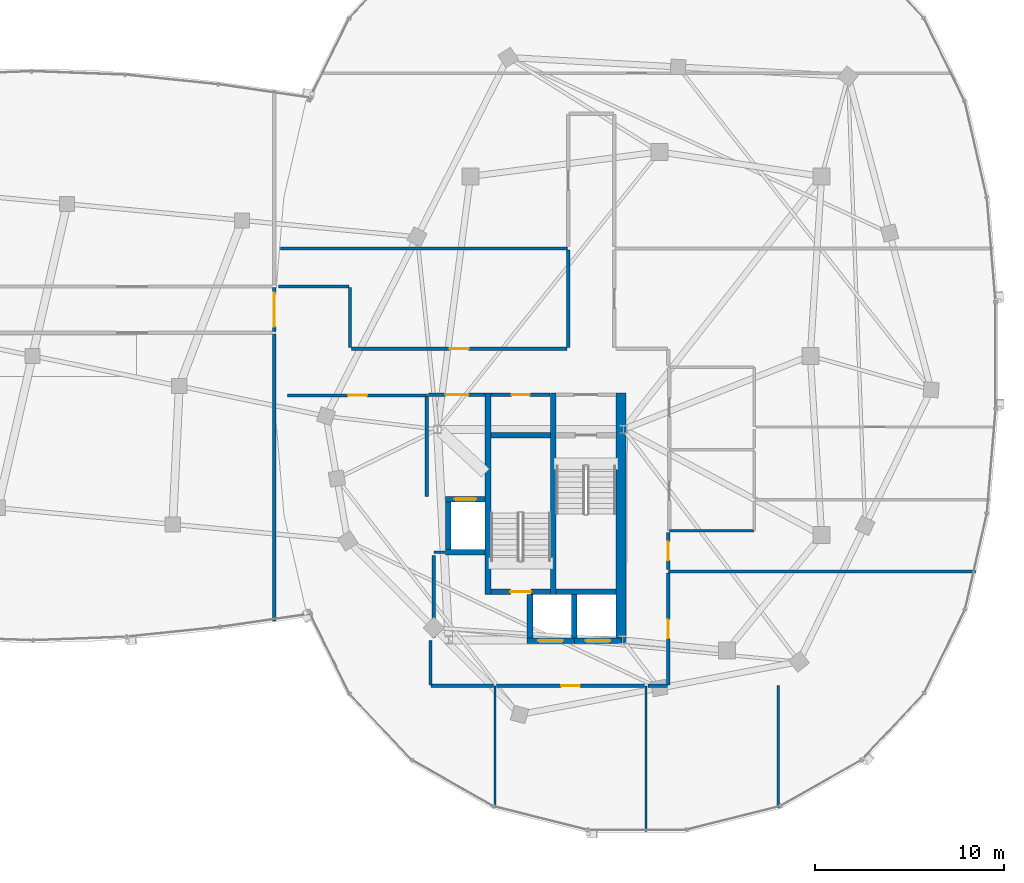
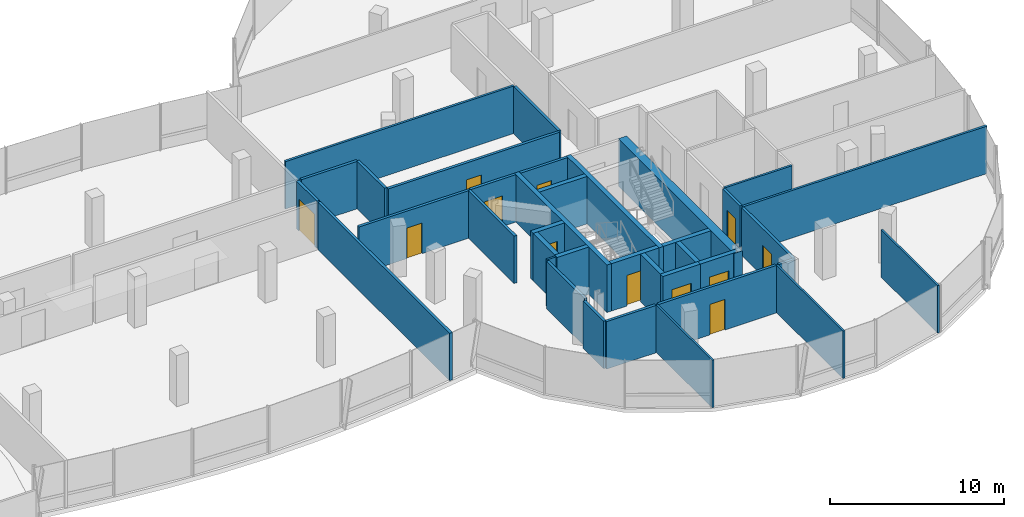
# One storey, part 16 of 26: 37 walls, 12 doors, 12 openings.
"""IFC4 building model written with IfcOpenShell, lengths in metres."""

from ifc_helpers import new_model, si_unit, direction, frame, frame_2d, origin, place, context, subcontext, project, spatial, rectangle, extrude, material, layer, layer_set, type_object, element, fill, save


model = new_model("IFC4")

# Units and contexts
model_context = context("Model", 3, precision=1e-05, world=origin(), true_north=direction((0.0, 1.0)))
body_context = subcontext(model_context, "Body", "Model", "MODEL_VIEW")
ifc_project = project(units=[si_unit("LENGTHUNIT", "METRE"), si_unit("AREAUNIT", "SQUARE_METRE"), si_unit("VOLUMEUNIT", "CUBIC_METRE"), si_unit("PLANEANGLEUNIT", "RADIAN"), si_unit("MASSUNIT", "GRAM", prefix="KILO"), si_unit("THERMODYNAMICTEMPERATUREUNIT", "KELVIN"), si_unit("POWERUNIT", "WATT")], contexts=[model_context])

# Site, building, storey
site_placement = place(None, origin())
site = spatial("IfcSite", under=ifc_project, at=site_placement, CompositionType="ELEMENT")
building_placement = place(site_placement, origin())
building = spatial("IfcBuilding", under=site, at=building_placement, Name="Cundina Bronze Exchange", CompositionType="ELEMENT")
storey_placement = place(building_placement, frame((0.0, 0.0, 264.800048828125)))
storey = spatial("IfcBuildingStorey", under=building, at=storey_placement, Name="L70", CompositionType="ELEMENT", Elevation=264.800048828125)

# Wall
ifc_material_1 = material(Name="Gypsum Fireboard Partition EI120")
ifc_layer_1 = layer(ifc_material_1, 0.179931640625, Name="Gypsum Fireboard Partition EI120")
ifc_layer_set_1 = layer_set([ifc_layer_1], Name="Gypsum Fireboard Partition EI120")
wall_type_1 = type_object("IfcWallType", Name="WL-COR-180", PredefinedType="PARTITIONING", material=ifc_layer_set_1)
wall_1_placement = place(storey_placement, frame((20.889892578125, -7.449951171875, 0.0), z_axis=(0.0, 0.0, 1.0), x_axis=(0.0, 1.0, 0.0)))
element("IfcWall", 1, at=wall_1_placement, inside=storey, type_object=wall_type_1, Name="L70 E Firefighting Lobby Side Wall", PredefinedType="PARTITIONING", context=body_context, shape_type="SweptSolid", body=[
    extrude(rectangle(XDim=5.300048828125, YDim=0.179931640625, at=frame_2d((2.64990234375, 0.0))), origin(), (0.0, 0.0, 1.0), 3.33984375),
])

# Wall, opening, door
wall_2_placement = place(storey_placement, frame((20.97998046875, -2.06005859375, 0.0), z_axis=(0.0, 0.0, 1.0), x_axis=(1.0, 0.0, 0.0)))
wall_2 = element("IfcWall", 2, at=wall_2_placement, inside=storey, type_object=wall_type_1, Name="L70 E Firefighting Lobby Exit Wall", PredefinedType="PARTITIONING", context=body_context, shape_type="SweptSolid", body=[
    extrude(rectangle(XDim=3.0, YDim=0.179931640625, at=frame_2d((1.5, 0.0))), origin(), (0.0, 0.0, 1.0), 3.33984375),
])
opening_1_placement = place(wall_2_placement, frame((0.89990234375, 0.0, 0.0)))
opening_1 = element("IfcOpeningElement", 3, at=opening_1_placement, cuts=wall_2, Name="Opening DF-01", PredefinedType="OPENING", context=body_context, shape_type="SweptSolid", body=[
    extrude(rectangle(XDim=1.199951171875, YDim=2.14990234375, at=frame_2d((0.60009765625, 1.074951171875))), frame((0.0, 0.099853515625, 0.0), z_axis=(0.0, -1.0, 0.0), x_axis=(1.0, 0.0, 0.0)), (0.0, 0.0, 1.0), 0.199951171875),
])
ifc_material_2 = material(Name="Steel ASTM A36 Painted", Category="steel")
door_type_1 = type_object("IfcDoorType", Name="DR-FFL-1200", OperationType="NOTDEFINED", PredefinedType="DOOR", material=ifc_material_2)
door_1_placement = place(opening_1_placement, origin())
door_1 = element("IfcDoor", 4, at=door_1_placement, inside=storey, type_object=door_type_1, Name="L70 E Firefighting Lobby Door", OperationType="SINGLE_SWING_LEFT", OverallHeight=2.14990234375, OverallWidth=1.199951171875, PredefinedType="DOOR", context=body_context, shape_type="SweptSolid", body=[
    extrude(rectangle(XDim=1.199951171875, YDim=2.14990234375, at=frame_2d((0.60009765625, 1.074951171875))), frame((0.0, 0.02490234375, 0.0), z_axis=(0.0, -1.0, 0.0), x_axis=(1.0, 0.0, 0.0)), (0.0, 0.0, 1.0), 0.050048828125),
])
fill(opening_1, door_1)

# Wall
wall_3_placement = place(storey_placement, frame((21.25, -14.929931640625, 0.0), z_axis=(0.0, 0.0, 1.0), x_axis=(0.0, 1.0, 0.0)))
element("IfcWall", 5, at=wall_3_placement, inside=storey, type_object=wall_type_1, Name="L70 Interior Partition 038", PredefinedType="PARTITIONING", context=body_context, shape_type="SweptSolid", body=[
    extrude(rectangle(XDim=4.35986328125, YDim=0.179931640625, at=frame_2d((2.179931640625, 0.0))), origin(), (0.0, 0.0, 1.0), 3.33984375),
])

# Wall, opening, door
wall_4_placement = place(storey_placement, frame((24.300048828125, -2.070068359375, 0.0), z_axis=(0.0, 0.0, 1.0), x_axis=(1.0, 0.0, 0.0)))
wall_4 = element("IfcWall", 6, at=wall_4_placement, inside=storey, type_object=wall_type_1, Name="L70 Interior Partition 039", PredefinedType="PARTITIONING", context=body_context, shape_type="SweptSolid", body=[
    extrude(rectangle(XDim=3.119873046875, YDim=0.179931640625, at=frame_2d((1.56005859375, 0.0))), origin(), (0.0, 0.0, 1.0), 3.33984375),
])
opening_2_placement = place(wall_4_placement, frame((1.0849609375, 0.0, 0.0)))
opening_2 = element("IfcOpeningElement", 7, at=opening_2_placement, cuts=wall_4, Name="Opening DW-01", PredefinedType="OPENING", context=body_context, shape_type="SweptSolid", body=[
    extrude(rectangle(XDim=0.949951171875, YDim=2.10009765625, at=frame_2d((0.47509765625, 1.050048828125))), frame((0.0, 0.099853515625, 0.0), z_axis=(0.0, -1.0, 0.0), x_axis=(1.0, 0.0, 0.0)), (0.0, 0.0, 1.0), 0.199951171875),
])
ifc_material_3 = material(Name="Solid Andean Oak Timber Grade A", Category="wood")
door_type_2 = type_object("IfcDoorType", Name="DR-WC-950", OperationType="NOTDEFINED", PredefinedType="DOOR", material=ifc_material_3)
door_2_placement = place(opening_2_placement, origin())
door_2 = element("IfcDoor", 8, at=door_2_placement, inside=storey, type_object=door_type_2, Name="L70 Interior Door 039", OperationType="SINGLE_SWING_LEFT", OverallHeight=2.10009765625, OverallWidth=0.949951171875, PredefinedType="DOOR", context=body_context, shape_type="SweptSolid", body=[
    extrude(rectangle(XDim=0.949951171875, YDim=2.10009765625, at=frame_2d((0.47509765625, 1.050048828125))), frame((0.0, 0.02490234375, 0.0), z_axis=(0.0, -1.0, 0.0), x_axis=(1.0, 0.0, 0.0)), (0.0, 0.0, 1.0), 0.050048828125),
])
fill(opening_2, door_2)

wall_5_placement = place(storey_placement, frame((24.590087890625, -17.469970703125, 0.0), z_axis=(0.0, 0.0, 1.0), x_axis=(1.0, 0.0, 0.0)))
wall_5 = element("IfcWall", 9, at=wall_5_placement, inside=storey, type_object=wall_type_1, Name="L70 Interior Partition 056", PredefinedType="PARTITIONING", context=body_context, shape_type="SweptSolid", body=[
    extrude(rectangle(XDim=7.81982421875, YDim=0.179931640625, at=frame_2d((3.909912109375, 0.0))), origin(), (0.0, 0.0, 1.0), 3.33984375),
])
opening_3_placement = place(wall_5_placement, frame((3.409912109375, 0.0, 0.0)))
opening_3 = element("IfcOpeningElement", 10, at=opening_3_placement, cuts=wall_5, Name="Opening DO-01", PredefinedType="OPENING", context=body_context, shape_type="SweptSolid", body=[
    extrude(rectangle(XDim=1.0, YDim=2.14990234375, at=frame_2d((0.5, 1.074951171875))), frame((0.0, 0.099853515625, 0.0), z_axis=(0.0, -1.0, 0.0), x_axis=(1.0, 0.0, 0.0)), (0.0, 0.0, 1.0), 0.199951171875),
])
door_type_3 = type_object("IfcDoorType", Name="DR-OFF-1000", OperationType="NOTDEFINED", PredefinedType="DOOR", material=ifc_material_3)
door_3_placement = place(opening_3_placement, origin())
door_3 = element("IfcDoor", 11, at=door_3_placement, inside=storey, type_object=door_type_3, Name="L70 Interior Door 056", OperationType="SINGLE_SWING_LEFT", OverallHeight=2.14990234375, OverallWidth=1.0, PredefinedType="DOOR", context=body_context, shape_type="SweptSolid", body=[
    extrude(rectangle(XDim=1.0, YDim=2.14990234375, at=frame_2d((0.5, 1.074951171875))), frame((0.0, 0.02490234375, 0.0), z_axis=(0.0, -1.0, 0.0), x_axis=(1.0, 0.0, 0.0)), (0.0, 0.0, 1.0), 0.050048828125),
])
fill(opening_3, door_3)

wall_6_placement = place(storey_placement, frame((33.669921875, -17.428466796875, 0.0), z_axis=(0.0, 0.0, 1.0), x_axis=(0.0, 1.0, 0.0)))
wall_6 = element("IfcWall", 12, at=wall_6_placement, inside=storey, type_object=wall_type_1, Name="L70 Interior Partition 057", PredefinedType="PARTITIONING", context=body_context, shape_type="SweptSolid", body=[
    extrude(rectangle(XDim=5.91845703125, YDim=0.179931640625, at=frame_2d((2.959228515625, 0.0))), origin(), (0.0, 0.0, 1.0), 3.33984375),
])
opening_4_placement = place(wall_6_placement, frame((2.459228515625, 0.0, 0.0)))
opening_4 = element("IfcOpeningElement", 13, at=opening_4_placement, cuts=wall_6, Name="Opening DO-01", PredefinedType="OPENING", context=body_context, shape_type="SweptSolid", body=[
    extrude(rectangle(XDim=1.0, YDim=2.14990234375, at=frame_2d((0.5, 1.074951171875))), frame((0.0, 0.099853515625, 0.0), z_axis=(0.0, -1.0, 0.0), x_axis=(1.0, 0.0, 0.0)), (0.0, 0.0, 1.0), 0.199951171875),
])
door_4_placement = place(opening_4_placement, origin())
door_4 = element("IfcDoor", 14, at=door_4_placement, inside=storey, type_object=door_type_3, Name="L70 Interior Door 057", OperationType="SINGLE_SWING_RIGHT", OverallHeight=2.14990234375, OverallWidth=1.0, PredefinedType="DOOR", context=body_context, shape_type="SweptSolid", body=[
    extrude(rectangle(XDim=1.0, YDim=2.14990234375, at=frame_2d((0.5, 1.074951171875))), frame((0.0, 0.02490234375, 0.0), z_axis=(0.0, -1.0, 0.0), x_axis=(1.0, 0.0, 0.0)), (0.0, 0.0, 1.0), 0.050048828125),
])
fill(opening_4, door_4)

# Wall
wall_7_placement = place(storey_placement, frame((32.590087890625, -17.469970703125, 0.0), z_axis=(0.0, 0.0, 1.0), x_axis=(1.0, 0.0, 0.0)))
element("IfcWall", 15, at=wall_7_placement, inside=storey, type_object=wall_type_1, Name="L70 Interior Partition 058", PredefinedType="PARTITIONING", context=body_context, shape_type="SweptSolid", body=[
    extrude(rectangle(XDim=1.038330078125, YDim=0.179931640625, at=frame_2d((0.51904296875, 0.0))), origin(), (0.0, 0.0, 1.0), 3.33984375),
])

# Wall, opening, door
wall_8_placement = place(storey_placement, frame((13.521484375, -2.10009765625, 0.0), z_axis=(0.0, 0.0, 1.0), x_axis=(1.0, 0.0, 0.0)))
wall_8 = element("IfcWall", 16, at=wall_8_placement, inside=storey, type_object=wall_type_1, Name="L70 Interior Partition 059", PredefinedType="PARTITIONING", context=body_context, shape_type="SweptSolid", body=[
    extrude(rectangle(XDim=7.3984375, YDim=0.179931640625, at=frame_2d((3.69921875, 0.0))), origin(), (0.0, 0.0, 1.0), 3.33984375),
])
opening_5_placement = place(wall_8_placement, frame((3.19921875, 0.0, 0.0)))
opening_5 = element("IfcOpeningElement", 17, at=opening_5_placement, cuts=wall_8, Name="Opening DO-01", PredefinedType="OPENING", context=body_context, shape_type="SweptSolid", body=[
    extrude(rectangle(XDim=1.0, YDim=2.14990234375, at=frame_2d((0.5, 1.074951171875))), frame((0.0, 0.099853515625, 0.0), z_axis=(0.0, -1.0, 0.0), x_axis=(1.0, 0.0, 0.0)), (0.0, 0.0, 1.0), 0.199951171875),
])
door_5_placement = place(opening_5_placement, origin())
door_5 = element("IfcDoor", 18, at=door_5_placement, inside=storey, type_object=door_type_3, Name="L70 Interior Door 059", OperationType="SINGLE_SWING_RIGHT", OverallHeight=2.14990234375, OverallWidth=1.0, PredefinedType="DOOR", context=body_context, shape_type="SweptSolid", body=[
    extrude(rectangle(XDim=1.0, YDim=2.14990234375, at=frame_2d((0.5, 1.074951171875))), frame((0.0, 0.02490234375, 0.0), z_axis=(0.0, -1.0, 0.0), x_axis=(1.0, 0.0, 0.0)), (0.0, 0.0, 1.0), 0.050048828125),
])
fill(opening_5, door_5)

# Walls
wall_9_placement = place(storey_placement, frame((21.12158203125, -17.469970703125, 0.0), z_axis=(0.0, 0.0, 1.0), x_axis=(1.0, 0.0, 0.0)))
element("IfcWall", 19, at=wall_9_placement, inside=storey, type_object=wall_type_1, Name="L70 Interior Partition 060", PredefinedType="PARTITIONING", context=body_context, shape_type="SweptSolid", body=[
    extrude(rectangle(XDim=3.288330078125, YDim=0.179931640625, at=frame_2d((1.64404296875, 0.0))), origin(), (0.0, 0.0, 1.0), 3.33984375),
])
wall_10_placement = place(storey_placement, frame((21.080078125, -15.071533203125, 0.0), z_axis=(0.0, 0.0, 1.0), x_axis=(0.0, -1.0, 0.0)))
element("IfcWall", 20, at=wall_10_placement, inside=storey, type_object=wall_type_1, Name="L70 Interior Partition 061", PredefinedType="PARTITIONING", context=body_context, shape_type="SweptSolid", body=[
    extrude(rectangle(XDim=2.35693359375, YDim=0.179931640625, at=frame_2d((1.178466796875, 0.0))), origin(), (0.0, 0.0, 1.0), 3.33984375),
])

# Wall, opening, door
wall_11_placement = place(storey_placement, frame((33.669921875, -11.330078125, 0.0), z_axis=(0.0, 0.0, 1.0), x_axis=(0.0, 1.0, 0.0)))
wall_11 = element("IfcWall", 21, at=wall_11_placement, inside=storey, type_object=wall_type_1, Name="L70 Interior Partition 062", PredefinedType="PARTITIONING", context=body_context, shape_type="SweptSolid", body=[
    extrude(rectangle(XDim=1.978759765625, YDim=0.179931640625, at=frame_2d((0.9892578125, 0.0))), origin(), (0.0, 0.0, 1.0), 3.33984375),
])
opening_6_placement = place(wall_11_placement, frame((0.4892578125, 0.0, 0.0)))
opening_6 = element("IfcOpeningElement", 22, at=opening_6_placement, cuts=wall_11, Name="Opening DO-01", PredefinedType="OPENING", context=body_context, shape_type="SweptSolid", body=[
    extrude(rectangle(XDim=1.0, YDim=2.14990234375, at=frame_2d((0.5, 1.074951171875))), frame((0.0, 0.099853515625, 0.0), z_axis=(0.0, -1.0, 0.0), x_axis=(1.0, 0.0, 0.0)), (0.0, 0.0, 1.0), 0.199951171875),
])
door_6_placement = place(opening_6_placement, origin())
door_6 = element("IfcDoor", 23, at=door_6_placement, inside=storey, type_object=door_type_3, Name="L70 Interior Door 062", OperationType="SINGLE_SWING_RIGHT", OverallHeight=2.14990234375, OverallWidth=1.0, PredefinedType="DOOR", context=body_context, shape_type="SweptSolid", body=[
    extrude(rectangle(XDim=1.0, YDim=2.14990234375, at=frame_2d((0.5, 1.074951171875))), frame((0.0, 0.02490234375, 0.0), z_axis=(0.0, -1.0, 0.0), x_axis=(1.0, 0.0, 0.0)), (0.0, 0.0, 1.0), 0.050048828125),
])
fill(opening_6, door_6)

wall_12_placement = place(storey_placement, frame((28.300048828125, 0.3701171875, 0.0), z_axis=(0.0, 0.0, 1.0), x_axis=(-1.0, 0.0, 0.0)))
wall_12 = element("IfcWall", 24, at=wall_12_placement, inside=storey, type_object=wall_type_1, Name="L70 Interior Partition 066", PredefinedType="PARTITIONING", context=body_context, shape_type="SweptSolid", body=[
    extrude(rectangle(XDim=11.400146484375, YDim=0.179931640625, at=frame_2d((5.7001953125, 0.0))), origin(), (0.0, 0.0, 1.0), 3.33984375),
])
opening_7_placement = place(wall_12_placement, frame((5.199951171875, 0.0, 0.0)))
opening_7 = element("IfcOpeningElement", 25, at=opening_7_placement, cuts=wall_12, Name="Opening DO-01", PredefinedType="OPENING", context=body_context, shape_type="SweptSolid", body=[
    extrude(rectangle(XDim=1.0, YDim=2.14990234375, at=frame_2d((0.5, 1.074951171875))), frame((0.0, 0.099853515625, 0.0), z_axis=(0.0, -1.0, 0.0), x_axis=(1.0, 0.0, 0.0)), (0.0, 0.0, 1.0), 0.199951171875),
])
door_7_placement = place(opening_7_placement, origin())
door_7 = element("IfcDoor", 26, at=door_7_placement, inside=storey, type_object=door_type_3, Name="L70 Interior Door 066", OperationType="SINGLE_SWING_RIGHT", OverallHeight=2.14990234375, OverallWidth=1.0, PredefinedType="DOOR", context=body_context, shape_type="SweptSolid", body=[
    extrude(rectangle(XDim=1.0, YDim=2.14990234375, at=frame_2d((0.5, 1.074951171875))), frame((0.0, 0.02490234375, 0.0), z_axis=(0.0, -1.0, 0.0), x_axis=(1.0, 0.0, 0.0)), (0.0, 0.0, 1.0), 0.050048828125),
])
fill(opening_7, door_7)

# Walls
wall_13_placement = place(storey_placement, frame((28.3798828125, 5.60009765625, 0.0), z_axis=(0.0, 0.0, 1.0), x_axis=(0.0, -1.0, 0.0)))
element("IfcWall", 27, at=wall_13_placement, inside=storey, type_object=wall_type_1, Name="L70 Interior Partition 067", PredefinedType="PARTITIONING", context=body_context, shape_type="SweptSolid", body=[
    extrude(rectangle(XDim=5.150146484375, YDim=0.179931640625, at=frame_2d((2.5751953125, 0.0))), origin(), (0.0, 0.0, 1.0), 3.33984375),
])
wall_14_placement = place(storey_placement, frame((16.778564453125, 3.669921875, 0.0), z_axis=(0.0, 0.0, 1.0), x_axis=(-1.0, 0.0, 0.0)))
element("IfcWall", 28, at=wall_14_placement, inside=storey, type_object=wall_type_1, Name="L70 Interior Partition 068", PredefinedType="PARTITIONING", context=body_context, shape_type="SweptSolid", body=[
    extrude(rectangle(XDim=3.7529296875, YDim=0.179931640625, at=frame_2d((1.87646484375, 0.0))), origin(), (0.0, 0.0, 1.0), 3.33984375),
])
wall_15_placement = place(storey_placement, frame((16.820068359375, 0.449951171875, 0.0), z_axis=(0.0, 0.0, 1.0), x_axis=(0.0, 1.0, 0.0)))
element("IfcWall", 29, at=wall_15_placement, inside=storey, type_object=wall_type_1, Name="L70 Interior Partition 069", PredefinedType="PARTITIONING", context=body_context, shape_type="SweptSolid", body=[
    extrude(rectangle(XDim=3.178466796875, YDim=0.179931640625, at=frame_2d((1.58935546875, 0.0))), origin(), (0.0, 0.0, 1.0), 3.33984375),
])
wall_16_placement = place(storey_placement, frame((12.800048828125, -14.043701171875, 0.0), z_axis=(0.0, 0.0, 1.0), x_axis=(0.0, 1.0, 0.0)))
element("IfcWall", 30, at=wall_16_placement, inside=storey, type_object=wall_type_1, Name="L70 Interior Partition 083", PredefinedType="PARTITIONING", context=body_context, shape_type="SweptSolid", body=[
    extrude(rectangle(XDim=15.20361328125, YDim=0.179931640625, at=frame_2d((7.601806640625, 0.0))), origin(), (0.0, 0.0, 1.0), 3.33984375),
])

# Wall, opening, door
wall_17_placement = place(storey_placement, frame((12.800048828125, 1.280029296875, 0.0), z_axis=(0.0, 0.0, 1.0), x_axis=(0.0, 1.0, 0.0)))
wall_17 = element("IfcWall", 31, at=wall_17_placement, inside=storey, type_object=wall_type_1, Name="L70 Interior Partition 085", PredefinedType="PARTITIONING", context=body_context, shape_type="SweptSolid", body=[
    extrude(rectangle(XDim=2.340087890625, YDim=0.179931640625, at=frame_2d((1.169921875, 0.0))), origin(), (0.0, 0.0, 1.0), 3.33984375),
])
opening_8_placement = place(wall_17_placement, frame((0.27001953125, 0.0, 0.0)))
opening_8 = element("IfcOpeningElement", 32, at=opening_8_placement, cuts=wall_17, Name="Opening DB-01", PredefinedType="OPENING", context=body_context, shape_type="SweptSolid", body=[
    extrude(rectangle(XDim=1.800048828125, YDim=2.25, at=frame_2d((0.89990234375, 1.125))), frame((0.0, 0.099853515625, 0.0), z_axis=(0.0, -1.0, 0.0), x_axis=(1.0, 0.0, 0.0)), (0.0, 0.0, 1.0), 0.199951171875),
])
door_type_4 = type_object("IfcDoorType", Name="DR-BRG-1800", OperationType="NOTDEFINED", PredefinedType="DOOR", material=ifc_material_2)
door_8_placement = place(opening_8_placement, origin())
door_8 = element("IfcDoor", 33, at=door_8_placement, inside=storey, type_object=door_type_4, Name="L70 Interior Door 085", OperationType="DOUBLE_DOOR_SINGLE_SWING", OverallHeight=2.25, OverallWidth=1.800048828125, PredefinedType="DOOR", context=body_context, shape_type="SweptSolid", body=[
    extrude(rectangle(XDim=1.800048828125, YDim=2.25, at=frame_2d((0.89990234375, 1.125))), frame((0.0, 0.02490234375, 0.0), z_axis=(0.0, -1.0, 0.0), x_axis=(1.0, 0.0, 0.0)), (0.0, 0.0, 1.0), 0.050048828125),
])
fill(opening_8, door_8)

# Walls
ifc_material_4 = material(Name="Concrete C50/60", Category="concrete")
ifc_layer_2 = layer(ifc_material_4, 0.550048828125, Name="Concrete C50/60", Category="concrete")
ifc_layer_set_2 = layer_set([ifc_layer_2], Name="Concrete C50/60")
wall_type_2 = type_object("IfcWallType", Name="WL-CORE-550", PredefinedType="SHEAR", material=ifc_layer_set_2)
wall_18_placement = place(storey_placement, frame((31.175048828125, -15.300048828125, 0.0), z_axis=(0.0, 0.0, 1.0), x_axis=(0.0, 1.0, 0.0)))
element("IfcWall", 34, at=wall_18_placement, inside=storey, type_object=wall_type_2, Name="L70 E Primary Core Shear Spine Wall", PredefinedType="SHEAR", context=body_context, shape_type="SweptSolid", body=[
    extrude(rectangle(XDim=13.330078125, YDim=0.550048828125, at=frame_2d((6.6650390625, 0.0))), origin(), (0.0, 0.0, 1.0), 3.33984375),
])
ifc_material_5 = material(Name="Gypsum Acoustic Partition EI60")
ifc_layer_3 = layer(ifc_material_5, 0.125, Name="Gypsum Acoustic Partition EI60")
ifc_layer_set_3 = layer_set([ifc_layer_3], Name="Gypsum Acoustic Partition EI60")
wall_type_3 = type_object("IfcWallType", Name="WL-OFF-125", PredefinedType="PARTITIONING", material=ifc_layer_set_3)
wall_19_placement = place(storey_placement, frame((24.5, -23.962646484375, 0.0), z_axis=(0.0, 0.0, 1.0), x_axis=(0.0, 1.0, 0.0)))
element("IfcWall", 35, at=wall_19_placement, inside=storey, type_object=wall_type_3, Name="L70 Interior Partition 053", PredefinedType="PARTITIONING", context=body_context, shape_type="SweptSolid", body=[
    extrude(rectangle(XDim=6.462646484375, YDim=0.125, at=frame_2d((3.2314453125, 0.0))), origin(), (0.0, 0.0, 1.0), 3.33984375),
])
wall_20_placement = place(storey_placement, frame((32.5, -25.18994140625, 0.0), z_axis=(0.0, 0.0, 1.0), x_axis=(0.0, 1.0, 0.0)))
element("IfcWall", 36, at=wall_20_placement, inside=storey, type_object=wall_type_3, Name="L70 Interior Partition 054", PredefinedType="PARTITIONING", context=body_context, shape_type="SweptSolid", body=[
    extrude(rectangle(XDim=7.68994140625, YDim=0.125, at=frame_2d((3.844970703125, 0.0))), origin(), (0.0, 0.0, 1.0), 3.33984375),
])
wall_21_placement = place(storey_placement, frame((39.5, -23.962646484375, 0.0), z_axis=(0.0, 0.0, 1.0), x_axis=(0.0, 1.0, 0.0)))
element("IfcWall", 37, at=wall_21_placement, inside=storey, type_object=wall_type_3, Name="L70 Interior Partition 055", PredefinedType="PARTITIONING", context=body_context, shape_type="SweptSolid", body=[
    extrude(rectangle(XDim=6.49267578125, YDim=0.125, at=frame_2d((3.246337890625, 0.0))), origin(), (0.0, 0.0, 1.0), 3.33984375),
])
ifc_layer_4 = layer(ifc_material_4, 0.300048828125, Name="Concrete C50/60", Category="concrete")
ifc_layer_set_4 = layer_set([ifc_layer_4], Name="Concrete C50/60")
wall_type_4 = type_object("IfcWallType", Name="WL-SHFT-300", PredefinedType="SHEAR", material=ifc_layer_set_4)
for number, where, z_axis, x_axis, name in (
    (38, (27.590087890625, -12.64990234375, 0.0), (0.0, 0.0, 1.0), (0.0, 1.0, 0.0), "L70 E Stair Shaft Dividing Shear Wall"),
    (39, (24.1298828125, -12.64990234375, 0.0), (0.0, 0.0, 1.0), (0.0, 1.0, 0.0), "L70 E Stair 2 East Shear Wall"),
):
    element("IfcWall", number, at=place(storey_placement, frame(where, z_axis=z_axis, x_axis=x_axis)), inside=storey, type_object=wall_type_4, Name=name, PredefinedType="SHEAR", context=body_context, shape_type="SweptSolid", body=[
        extrude(rectangle(XDim=10.679931640625, YDim=0.300048828125, at=frame_2d((5.33984375, 0.0))), origin(), (0.0, 0.0, 1.0), 3.33984375),
    ])
wall_22_placement = place(storey_placement, frame((27.739990234375, -12.5, 0.0), z_axis=(0.0, 0.0, 1.0), x_axis=(1.0, 0.0, 0.0)))
element("IfcWall", 40, at=wall_22_placement, inside=storey, type_object=wall_type_4, Name="L70 Stair E1 Far Shaft Wall", PredefinedType="SHEAR", context=body_context, shape_type="SweptSolid", body=[
    extrude(rectangle(XDim=3.159912109375, YDim=0.300048828125, at=frame_2d((1.580078125, 0.0))), origin(), (0.0, 0.0, 1.0), 3.33984375),
])

# Wall, opening, door
wall_23_placement = place(storey_placement, frame((24.280029296875, -12.5, 0.0), z_axis=(0.0, 0.0, 1.0), x_axis=(1.0, 0.0, 0.0)))
wall_23 = element("IfcWall", 41, at=wall_23_placement, inside=storey, type_object=wall_type_4, Name="L70 Stair E2 Landing Wall", PredefinedType="SHEAR", context=body_context, shape_type="SweptSolid", body=[
    extrude(rectangle(XDim=3.159912109375, YDim=0.300048828125, at=frame_2d((1.580078125, 0.0))), origin(), (0.0, 0.0, 1.0), 3.33984375),
])
opening_9_placement = place(wall_23_placement, frame((1.030029296875, 0.0, 0.0)))
opening_9 = element("IfcOpeningElement", 42, at=opening_9_placement, cuts=wall_23, Name="Opening DS-01", PredefinedType="OPENING", context=body_context, shape_type="SweptSolid", body=[
    extrude(rectangle(XDim=1.10009765625, YDim=2.14990234375, at=frame_2d((0.550048828125, 1.074951171875))), frame((0.0, 0.159912109375, 0.0), z_axis=(0.0, -1.0, 0.0), x_axis=(1.0, 0.0, 0.0)), (0.0, 0.0, 1.0), 0.320068359375),
])
door_type_5 = type_object("IfcDoorType", Name="DR-STR-1100", OperationType="NOTDEFINED", PredefinedType="DOOR", material=ifc_material_2)
door_9_placement = place(opening_9_placement, origin())
door_9 = element("IfcDoor", 43, at=door_9_placement, inside=storey, type_object=door_type_5, Name="L70 Smokeproof Stair E2 Door", OperationType="SINGLE_SWING_RIGHT", OverallHeight=2.14990234375, OverallWidth=1.10009765625, PredefinedType="DOOR", context=body_context, shape_type="SweptSolid", body=[
    extrude(rectangle(XDim=1.10009765625, YDim=2.14990234375, at=frame_2d((0.550048828125, 1.074951171875))), frame((0.0, 0.02490234375, 0.0), z_axis=(0.0, -1.0, 0.0), x_axis=(1.0, 0.0, 0.0)), (0.0, 0.0, 1.0), 0.050048828125),
])
fill(opening_9, door_9)

# Wall
wall_24_placement = place(storey_placement, frame((24.280029296875, -4.199951171875, 0.0), z_axis=(0.0, 0.0, 1.0), x_axis=(1.0, 0.0, 0.0)))
element("IfcWall", 44, at=wall_24_placement, inside=storey, type_object=wall_type_4, Name="L70 Stair E2 Far Shaft Wall", PredefinedType="SHEAR", context=body_context, shape_type="SweptSolid", body=[
    extrude(rectangle(XDim=3.159912109375, YDim=0.300048828125, at=frame_2d((1.580078125, 0.0))), origin(), (0.0, 0.0, 1.0), 3.33984375),
])

# Wall, opening, door
wall_25_placement = place(storey_placement, frame((21.8798828125, -7.60009765625, 0.0), z_axis=(0.0, 0.0, 1.0), x_axis=(1.0, 0.0, 0.0)))
wall_25 = element("IfcWall", 45, at=wall_25_placement, inside=storey, type_object=wall_type_4, Name="L70 FFL-E Hoistway Front Wall", PredefinedType="SHEAR", context=body_context, shape_type="SweptSolid", body=[
    extrude(rectangle(XDim=2.10009765625, YDim=0.300048828125, at=frame_2d((1.050048828125, 0.0))), origin(), (0.0, 0.0, 1.0), 3.33984375),
])
opening_10_placement = place(wall_25_placement, frame((0.47509765625, 0.0, 0.0)))
opening_10 = element("IfcOpeningElement", 46, at=opening_10_placement, cuts=wall_25, Name="Opening LD-01", PredefinedType="OPENING", context=body_context, shape_type="SweptSolid", body=[
    extrude(rectangle(XDim=1.14990234375, YDim=2.199951171875, at=frame_2d((0.574951171875, 1.10009765625))), frame((0.0, 0.159912109375, 0.0), z_axis=(0.0, -1.0, 0.0), x_axis=(1.0, 0.0, 0.0)), (0.0, 0.0, 1.0), 0.320068359375),
])
door_type_6 = type_object("IfcDoorType", Name="DR-LND-1150", OperationType="NOTDEFINED", PredefinedType="TRAPDOOR", material=ifc_material_2)
door_10_placement = place(opening_10_placement, origin())
door_10 = element("IfcDoor", 47, at=door_10_placement, inside=storey, type_object=door_type_6, Name="L70 FFL-E Sliding Landing Door", OperationType="SLIDING_TO_LEFT", OverallHeight=2.199951171875, OverallWidth=1.14990234375, PredefinedType="TRAPDOOR", context=body_context, shape_type="SweptSolid", body=[
    extrude(rectangle(XDim=1.14990234375, YDim=2.199951171875, at=frame_2d((0.574951171875, 1.10009765625))), frame((0.0, 0.02490234375, 0.0), z_axis=(0.0, -1.0, 0.0), x_axis=(1.0, 0.0, 0.0)), (0.0, 0.0, 1.0), 0.050048828125),
])
fill(opening_10, door_10)

# Walls
wall_26_placement = place(storey_placement, frame((21.8798828125, -10.39990234375, 0.0), z_axis=(0.0, 0.0, 1.0), x_axis=(1.0, 0.0, 0.0)))
element("IfcWall", 48, at=wall_26_placement, inside=storey, type_object=wall_type_4, Name="L70 FFL-E Hoistway Back Wall", PredefinedType="SHEAR", context=body_context, shape_type="SweptSolid", body=[
    extrude(rectangle(XDim=2.10009765625, YDim=0.300048828125, at=frame_2d((1.050048828125, 0.0))), origin(), (0.0, 0.0, 1.0), 3.33984375),
])
wall_27_placement = place(storey_placement, frame((22.030029296875, -10.25, 0.0), z_axis=(0.0, 0.0, 1.0), x_axis=(0.0, 1.0, 0.0)))
element("IfcWall", 49, at=wall_27_placement, inside=storey, type_object=wall_type_4, Name="L70 FFL-E Hoistway Side Wall", PredefinedType="SHEAR", context=body_context, shape_type="SweptSolid", body=[
    extrude(rectangle(XDim=2.5, YDim=0.300048828125, at=frame_2d((1.25, 0.0))), origin(), (0.0, 0.0, 1.0), 3.33984375),
])

# Wall, opening, door
wall_28_placement = place(storey_placement, frame((28.699951171875, -15.10009765625, 0.0), z_axis=(0.0, 0.0, 1.0), x_axis=(1.0, 0.0, 0.0)))
wall_28 = element("IfcWall", 50, at=wall_28_placement, inside=storey, type_object=wall_type_4, Name="L70 PH-E1 Hoistway Front Wall", PredefinedType="SHEAR", context=body_context, shape_type="SweptSolid", body=[
    extrude(rectangle(XDim=2.5, YDim=0.300048828125, at=frame_2d((1.25, 0.0))), origin(), (0.0, 0.0, 1.0), 3.33984375),
])
opening_11_placement = place(wall_28_placement, frame((0.60009765625, 0.0, 0.0)))
opening_11 = element("IfcOpeningElement", 51, at=opening_11_placement, cuts=wall_28, Name="Opening LD-02", PredefinedType="OPENING", context=body_context, shape_type="SweptSolid", body=[
    extrude(rectangle(XDim=1.300048828125, YDim=2.199951171875, at=frame_2d((0.64990234375, 1.10009765625))), frame((0.0, 0.159912109375, 0.0), z_axis=(0.0, -1.0, 0.0), x_axis=(1.0, 0.0, 0.0)), (0.0, 0.0, 1.0), 0.320068359375),
])
door_type_7 = type_object("IfcDoorType", Name="DR-LND-1300", OperationType="NOTDEFINED", PredefinedType="TRAPDOOR", material=ifc_material_2)
door_11_placement = place(opening_11_placement, origin())
door_11 = element("IfcDoor", 52, at=door_11_placement, inside=storey, type_object=door_type_7, Name="L70 PH-E1 Sliding Landing Door", OperationType="SLIDING_TO_LEFT", OverallHeight=2.199951171875, OverallWidth=1.300048828125, PredefinedType="TRAPDOOR", context=body_context, shape_type="SweptSolid", body=[
    extrude(rectangle(XDim=1.300048828125, YDim=2.199951171875, at=frame_2d((0.64990234375, 1.10009765625))), frame((0.0, 0.02490234375, 0.0), z_axis=(0.0, -1.0, 0.0), x_axis=(1.0, 0.0, 0.0)), (0.0, 0.0, 1.0), 0.050048828125),
])
fill(opening_11, door_11)

# Wall
wall_29_placement = place(storey_placement, frame((28.699951171875, -14.949951171875, 0.0), z_axis=(0.0, 0.0, 1.0), x_axis=(0.0, 1.0, 0.0)))
element("IfcWall", 53, at=wall_29_placement, inside=storey, type_object=wall_type_4, Name="L70 PH-E1 Hoistway Divider Wall", PredefinedType="SHEAR", context=body_context, shape_type="SweptSolid", body=[
    extrude(rectangle(XDim=2.300048828125, YDim=0.300048828125, at=frame_2d((1.14990234375, 0.0))), origin(), (0.0, 0.0, 1.0), 3.33984375),
])

# Wall, opening, door
wall_30_placement = place(storey_placement, frame((26.199951171875, -15.10009765625, 0.0), z_axis=(0.0, 0.0, 1.0), x_axis=(1.0, 0.0, 0.0)))
wall_30 = element("IfcWall", 54, at=wall_30_placement, inside=storey, type_object=wall_type_4, Name="L70 PH-E2 Hoistway Front Wall", PredefinedType="SHEAR", context=body_context, shape_type="SweptSolid", body=[
    extrude(rectangle(XDim=2.5, YDim=0.300048828125, at=frame_2d((1.25, 0.0))), origin(), (0.0, 0.0, 1.0), 3.33984375),
])
opening_12_placement = place(wall_30_placement, frame((0.60009765625, 0.0, 0.0)))
opening_12 = element("IfcOpeningElement", 55, at=opening_12_placement, cuts=wall_30, Name="Opening LD-02", PredefinedType="OPENING", context=body_context, shape_type="SweptSolid", body=[
    extrude(rectangle(XDim=1.300048828125, YDim=2.199951171875, at=frame_2d((0.64990234375, 1.10009765625))), frame((0.0, 0.159912109375, 0.0), z_axis=(0.0, -1.0, 0.0), x_axis=(1.0, 0.0, 0.0)), (0.0, 0.0, 1.0), 0.320068359375),
])
door_12_placement = place(opening_12_placement, origin())
door_12 = element("IfcDoor", 56, at=door_12_placement, inside=storey, type_object=door_type_7, Name="L70 PH-E2 Sliding Landing Door", OperationType="SLIDING_TO_LEFT", OverallHeight=2.199951171875, OverallWidth=1.300048828125, PredefinedType="TRAPDOOR", context=body_context, shape_type="SweptSolid", body=[
    extrude(rectangle(XDim=1.300048828125, YDim=2.199951171875, at=frame_2d((0.64990234375, 1.10009765625))), frame((0.0, 0.02490234375, 0.0), z_axis=(0.0, -1.0, 0.0), x_axis=(1.0, 0.0, 0.0)), (0.0, 0.0, 1.0), 0.050048828125),
])
fill(opening_12, door_12)

# Walls
wall_31_placement = place(storey_placement, frame((26.35009765625, -14.949951171875, 0.0), z_axis=(0.0, 0.0, 1.0), x_axis=(0.0, 1.0, 0.0)))
element("IfcWall", 57, at=wall_31_placement, inside=storey, type_object=wall_type_4, Name="L70 PH-E2 Hoistway Divider Wall", PredefinedType="SHEAR", context=body_context, shape_type="SweptSolid", body=[
    extrude(rectangle(XDim=2.300048828125, YDim=0.300048828125, at=frame_2d((1.14990234375, 0.0))), origin(), (0.0, 0.0, 1.0), 3.33984375),
])
ifc_layer_5 = layer(ifc_material_5, 0.14990234375, Name="Gypsum Acoustic Partition EI60")
ifc_layer_set_5 = layer_set([ifc_layer_5], Name="Gypsum Acoustic Partition EI60")
wall_type_5 = type_object("IfcWallType", Name="WL-TEN-150", PredefinedType="PARTITIONING", material=ifc_layer_set_5)
wall_32_placement = place(storey_placement, frame((13.140380859375, 5.68994140625, 0.0), z_axis=(0.0, 0.0, 1.0), x_axis=(1.0, 0.0, 0.0)))
element("IfcWall", 58, at=wall_32_placement, inside=storey, type_object=wall_type_5, Name="L70 Interior Partition 049", PredefinedType="PARTITIONING", context=body_context, shape_type="SweptSolid", body=[
    extrude(rectangle(XDim=15.209716796875, YDim=0.14990234375, at=frame_2d((7.60498046875, 0.0))), origin(), (0.0, 0.0, 1.0), 3.33984375),
])
wall_33_placement = place(storey_placement, frame((33.699951171875, -11.419921875, 0.0), z_axis=(0.0, 0.0, 1.0), x_axis=(1.0, 0.0, 0.0)))
element("IfcWall", 59, at=wall_33_placement, inside=storey, type_object=wall_type_5, Name="L70 Interior Partition 052", PredefinedType="PARTITIONING", context=body_context, shape_type="SweptSolid", body=[
    extrude(rectangle(XDim=16.238037109375, YDim=0.14990234375, at=frame_2d((8.119140625, 0.0))), origin(), (0.0, 0.0, 1.0), 3.33984375),
])
ifc_material_6 = material(Name="Moisture-Resistant Masonry Block Grade M15", Category="masonry")
ifc_layer_6 = layer(ifc_material_6, 0.139892578125, Name="Moisture-Resistant Masonry Block Grade M15", Category="masonry")
ifc_layer_set_6 = layer_set([ifc_layer_6], Name="Moisture-Resistant Masonry Block Grade M15")
wall_type_6 = type_object("IfcWallType", Name="WL-WET-140", PredefinedType="PARTITIONING", material=ifc_layer_set_6)
wall_34_placement = place(storey_placement, frame((21.27001953125, -10.39990234375, 0.0), z_axis=(0.0, 0.0, 1.0), x_axis=(1.0, 0.0, 0.0)))
element("IfcWall", 60, at=wall_34_placement, inside=storey, type_object=wall_type_6, Name="L70 Interior Partition 037", PredefinedType="PARTITIONING", context=body_context, shape_type="SweptSolid", body=[
    extrude(rectangle(XDim=0.590087890625, YDim=0.139892578125, at=frame_2d((0.294921875, 0.0))), origin(), (0.0, 0.0, 1.0), 3.33984375),
])
wall_35_placement = place(storey_placement, frame((33.739990234375, -9.260009765625, 0.0), z_axis=(0.0, 0.0, 1.0), x_axis=(1.0, 0.0, 0.0)))
element("IfcWall", 61, at=wall_35_placement, inside=storey, type_object=wall_type_6, Name="L70 Interior Partition 046", PredefinedType="PARTITIONING", context=body_context, shape_type="SweptSolid", body=[
    extrude(rectangle(XDim=4.47998046875, YDim=0.139892578125, at=frame_2d((2.239990234375, 0.0))), origin(), (0.0, 0.0, 1.0), 3.33984375),
])

save(model, "model.ifc")
